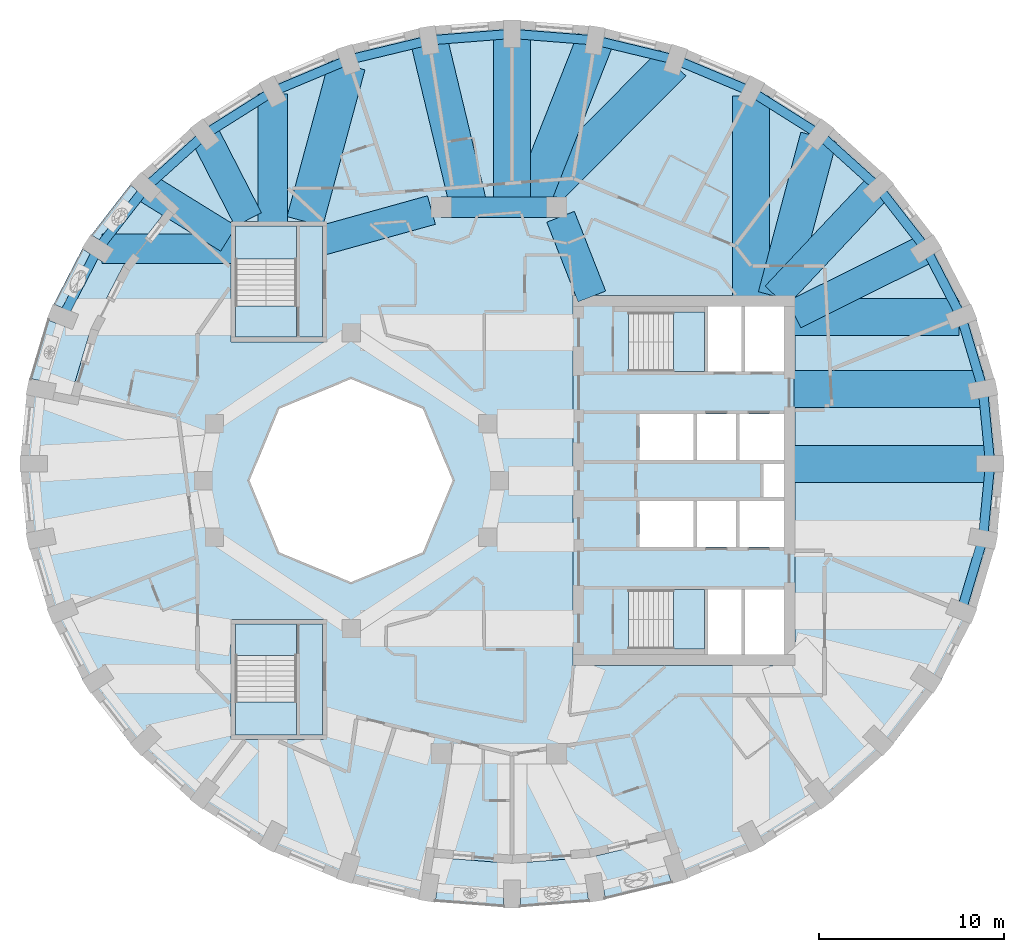
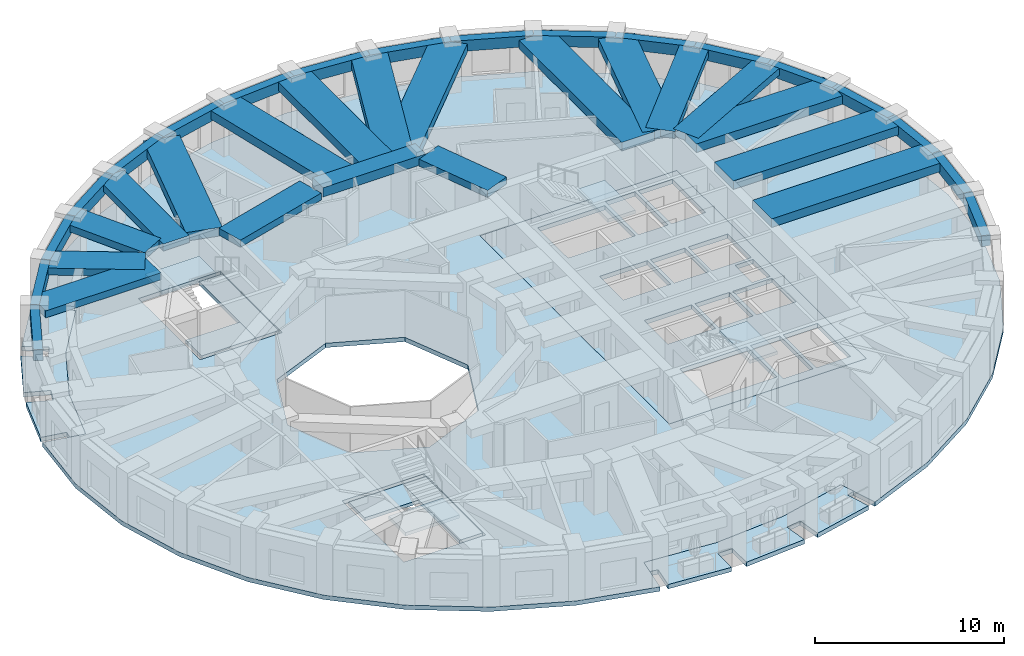
# One storey, part 2 of 12: 37 beams, 12 slabs, 4 elements without a shape of their own.
"""IFC4 building model written with IfcOpenShell, lengths in metres."""

from ifc_helpers import new_model, si_unit, direction, frame, origin, origin_2d, place, context, subcontext, project, spatial, polyline, rectangle, outline, extrude, material, layer, layer_set, material_profile, profile_set, type_object, element, aggregate, save


model = new_model("IFC4")

# Units and contexts
model_context = context("Model", 3, precision=1e-05, world=origin(), true_north=direction((0.0, 1.0)))
body_context = subcontext(model_context, "Body", "Model", "MODEL_VIEW")
ifc_project = project(units=[si_unit("LENGTHUNIT", "METRE"), si_unit("AREAUNIT", "SQUARE_METRE"), si_unit("VOLUMEUNIT", "CUBIC_METRE"), si_unit("PLANEANGLEUNIT", "RADIAN"), si_unit("MASSUNIT", "GRAM", prefix="KILO")], contexts=[model_context])

# Site, building, storey
site_placement = place(None, origin())
site = spatial("IfcSite", under=ifc_project, at=site_placement, CompositionType="ELEMENT")
building_placement = place(site_placement, origin())
building = spatial("IfcBuilding", under=site, at=building_placement, Name="Taillehof Tower", CompositionType="ELEMENT")
storey_placement = place(building_placement, frame((0.0, 0.0, 199.10009765625)))
storey = spatial("IfcBuildingStorey", under=building, at=storey_placement, Name="L56", CompositionType="ELEMENT", Elevation=199.10009765625)

# Beams
ifc_material_1 = material(Name="Concrete C50/60", Category="concrete")
ifc_material_profile_1 = material_profile(ifc_material_1, rectangle(XDim=1.10009765625, YDim=0.60009765625, at=origin_2d()), Name="RC 1100x600")
ifc_profile_set_1 = profile_set([ifc_material_profile_1], Name="Concrete C50/60")
beam_type_1 = type_object("IfcBeamType", Name="Mid-ring beam C50/60 1100x600", PredefinedType="BEAM", material=ifc_profile_set_1)
beam_1_placement = place(storey_placement, frame((3.125732421875, 14.772216796875, 2.719970703125), z_axis=(-1.0, 0.0, 0.0), x_axis=(0.0, -1.0, 0.0)))
element("IfcBeam", 1, at=beam_1_placement, inside=storey, type_object=beam_type_1, Name="Mid-ring beam MB01", PredefinedType="BEAM", context=body_context, shape_type="SweptSolid", body=[
    extrude(rectangle(XDim=1.10009765625, YDim=0.60009765625, at=origin_2d()), origin(), (0.0, 0.0, 1.0), 6.25146484375),
])
ifc_material_2 = material(Name="Concrete C50/60", Category="concrete")
ifc_material_profile_2 = material_profile(ifc_material_2, rectangle(XDim=1.60009765625, YDim=0.449951171875, at=origin_2d()), Name="RC 1600x450")
ifc_profile_set_2 = profile_set([ifc_material_profile_2], Name="Concrete C50/60")
beam_type_2 = type_object("IfcBeamType", Name="Radial band beam C50/60 1600x450", PredefinedType="BEAM", material=ifc_profile_set_2)
beam_2_placement = place(storey_placement, frame((23.086669921875, 12.52490234375, 2.794921875), z_axis=(-0.895357082848, -0.445348957778, 0.0), x_axis=(0.445348957778, -0.895357082848, 0.0)))
element("IfcBeam", 2, at=beam_2_placement, inside=storey, type_object=beam_type_2, Name="Radial band beam RB04", PredefinedType="BEAM", context=body_context, shape_type="SweptSolid", body=[
    extrude(rectangle(XDim=1.60009765625, YDim=0.449951171875, at=origin_2d()), origin(), (0.0, 0.0, 1.0), 7.96484375),
])
beam_3_placement = place(storey_placement, frame((20.502197265625, 15.8447265625, 2.794921875), z_axis=(-0.685451470964, -0.728118315217, 0.0), x_axis=(0.728118315217, -0.685451470964, 0.0)))
element("IfcBeam", 3, at=beam_3_placement, inside=storey, type_object=beam_type_2, Name="Radial band beam RB05", PredefinedType="BEAM", context=body_context, shape_type="SweptSolid", body=[
    extrude(rectangle(XDim=1.60009765625, YDim=0.449951171875, at=origin_2d()), origin(), (0.0, 0.0, 1.0), 8.07373046875),
])
beam_4_placement = place(storey_placement, frame((-12.22509765625, 20.9013671875, 2.794921875), z_axis=(0.0, -1.0, 0.0), x_axis=(1.0, 0.0, 0.0)))
element("IfcBeam", 4, at=beam_4_placement, inside=storey, type_object=beam_type_2, Name="Radial band beam RB13", PredefinedType="BEAM", context=body_context, shape_type="SweptSolid", body=[
    extrude(rectangle(XDim=1.60009765625, YDim=0.449951171875, at=origin_2d()), origin(), (0.0, 0.0, 1.0), 6.951416015625),
])
beam_5_placement = place(storey_placement, frame((-15.916015625, 18.71044921875, 2.794921875), z_axis=(0.456360793517, -0.889794822496, 0.0), x_axis=(0.889794822496, 0.456360793517, 0.0)))
element("IfcBeam", 5, at=beam_5_placement, inside=storey, type_object=beam_type_2, Name="Radial band beam RB14", PredefinedType="BEAM", context=body_context, shape_type="SweptSolid", body=[
    extrude(rectangle(XDim=1.60009765625, YDim=0.449951171875, at=origin_2d()), origin(), (0.0, 0.0, 1.0), 5.16455078125),
])
beam_6_placement = place(storey_placement, frame((-19.102294921875, 15.8447265625, 2.794921875), z_axis=(0.850616081395, -0.525787297366, 0.0), x_axis=(0.525787297366, 0.850616081395, 0.0)))
element("IfcBeam", 6, at=beam_6_placement, inside=storey, type_object=beam_type_2, Name="Radial band beam RB15", PredefinedType="BEAM", context=body_context, shape_type="SweptSolid", body=[
    extrude(rectangle(XDim=1.60009765625, YDim=0.449951171875, at=origin_2d()), origin(), (0.0, 0.0, 1.0), 5.260498046875),
])
beam_7_placement = place(storey_placement, frame((-21.47021484375, 12.52490234375, 2.794921875), z_axis=(1.0, 0.0, 0.0), x_axis=(0.0, 1.0, 0.0)))
element("IfcBeam", 7, at=beam_7_placement, inside=storey, type_object=beam_type_2, Name="Radial band beam RB16", PredefinedType="BEAM", context=body_context, shape_type="SweptSolid", body=[
    extrude(rectangle(XDim=1.60009765625, YDim=0.449951171875, at=origin_2d()), origin(), (0.0, 0.0, 1.0), 7.020263671875),
])
beam_8_placement = place(storey_placement, frame((3.32666015625, 14.26025390625, 2.794921875), z_axis=(0.365588707223, -0.930776502255, 0.0), x_axis=(0.930776502255, 0.365588707223, 0.0)))
element("IfcBeam", 8, at=beam_8_placement, inside=storey, type_object=beam_type_2, Name="Inner band beam IB205", PredefinedType="BEAM", context=body_context, shape_type="SweptSolid", body=[
    extrude(rectangle(XDim=1.60009765625, YDim=0.449951171875, at=origin_2d()), origin(), (0.0, 0.0, 1.0), 4.627197265625),
])
beam_9_placement = place(storey_placement, frame((-3.655517578125, 14.624755859375, 2.794921875), z_axis=(-0.963459369536, -0.267854518821, 0.0), x_axis=(0.267854518821, -0.963459369536, 0.0)))
element("IfcBeam", 9, at=beam_9_placement, inside=storey, type_object=beam_type_2, Name="Inner band beam IB206", PredefinedType="BEAM", context=body_context, shape_type="SweptSolid", body=[
    extrude(rectangle(XDim=1.60009765625, YDim=0.449951171875, at=origin_2d()), origin(), (0.0, 0.0, 1.0), 6.096923828125),
])
ifc_material_3 = material(Name="Concrete C50/60", Category="concrete")
ifc_material_profile_3 = material_profile(ifc_material_3, rectangle(XDim=2.0, YDim=0.550048828125, at=origin_2d()), Name="RC 2000x550")
ifc_profile_set_3 = profile_set([ifc_material_profile_3], Name="Concrete C50/60")
beam_type_3 = type_object("IfcBeamType", Name="Radial band beam C50/60 2000x550", PredefinedType="BEAM", material=ifc_profile_set_3)
beam_10_placement = place(storey_placement, frame((26.550048828125, 0.89990234375, 2.744873046875), z_axis=(-1.0, 0.0, 0.0), x_axis=(0.0, -1.0, 0.0)))
element("IfcBeam", 10, at=beam_10_placement, inside=storey, type_object=beam_type_3, Name="Radial band beam RB01", PredefinedType="BEAM", context=body_context, shape_type="SweptSolid", body=[
    extrude(rectangle(XDim=2.0, YDim=0.550048828125, at=origin_2d()), origin(), (0.0, 0.0, 1.0), 10.60009765625),
])
beam_11_placement = place(storey_placement, frame((26.1572265625, 4.937255859375, 2.744873046875), z_axis=(-1.0, 0.0, 0.0), x_axis=(0.0, -1.0, 0.0)))
element("IfcBeam", 11, at=beam_11_placement, inside=storey, type_object=beam_type_3, Name="Radial band beam RB02", PredefinedType="BEAM", context=body_context, shape_type="SweptSolid", body=[
    extrude(rectangle(XDim=2.0, YDim=0.550048828125, at=origin_2d()), origin(), (0.0, 0.0, 1.0), 10.207275390625),
])
beam_12_placement = place(storey_placement, frame((24.856201171875, 8.85205078125, 2.744873046875), z_axis=(-1.0, 0.0, 0.0), x_axis=(0.0, -1.0, 0.0)))
element("IfcBeam", 12, at=beam_12_placement, inside=storey, type_object=beam_type_3, Name="Radial band beam RB03", PredefinedType="BEAM", context=body_context, shape_type="SweptSolid", body=[
    extrude(rectangle(XDim=2.0, YDim=0.550048828125, at=origin_2d()), origin(), (0.0, 0.0, 1.0), 8.90625),
])
beam_13_placement = place(storey_placement, frame((17.28076171875, 18.577880859375, 2.744873046875), z_axis=(-0.256969711091, -0.966419457369, 0.0), x_axis=(0.966419457369, -0.256969711091, 0.0)))
element("IfcBeam", 13, at=beam_13_placement, inside=storey, type_object=beam_type_3, Name="Radial band beam RB06", PredefinedType="BEAM", context=body_context, shape_type="SweptSolid", body=[
    extrude(rectangle(XDim=2.0, YDim=0.550048828125, at=origin_2d()), origin(), (0.0, 0.0, 1.0), 8.926025390625),
])
beam_14_placement = place(storey_placement, frame((13.625, 20.797607421875, 2.744873046875), z_axis=(0.0, -1.0, 0.0), x_axis=(1.0, 0.0, 0.0)))
element("IfcBeam", 14, at=beam_14_placement, inside=storey, type_object=beam_type_3, Name="Radial band beam RB07", PredefinedType="BEAM", context=body_context, shape_type="SweptSolid", body=[
    extrude(rectangle(XDim=2.0, YDim=0.550048828125, at=origin_2d()), origin(), (0.0, 0.0, 1.0), 10.84765625),
])
beam_15_placement = place(storey_placement, frame((9.384765625, 22.590087890625, 2.744873046875), z_axis=(-0.704433609475, -0.709769885133, 0.0), x_axis=(0.709769885133, -0.704433609475, 0.0)))
element("IfcBeam", 15, at=beam_15_placement, inside=storey, type_object=beam_type_3, Name="Radial band beam RB08", PredefinedType="BEAM", context=body_context, shape_type="SweptSolid", body=[
    extrude(rectangle(XDim=2.0, YDim=0.550048828125, at=origin_2d()), origin(), (0.0, 0.0, 1.0), 10.79736328125),
])
beam_16_placement = place(storey_placement, frame((5.188720703125, 23.796875, 2.744873046875), z_axis=(-0.367222105753, -0.930133283485, 0.0), x_axis=(0.930133283485, -0.367222105753, 0.0)))
element("IfcBeam", 16, at=beam_16_placement, inside=storey, type_object=beam_type_3, Name="Radial band beam RB09", PredefinedType="BEAM", context=body_context, shape_type="SweptSolid", body=[
    extrude(rectangle(XDim=2.0, YDim=0.550048828125, at=origin_2d()), origin(), (0.0, 0.0, 1.0), 9.70263671875),
])
beam_17_placement = place(storey_placement, frame((0.699951171875, 24.14990234375, 2.744873046875), z_axis=(0.0, -1.0, 0.0), x_axis=(1.0, 0.0, 0.0)))
element("IfcBeam", 17, at=beam_17_placement, inside=storey, type_object=beam_type_3, Name="Radial band beam RB10", PredefinedType="BEAM", context=body_context, shape_type="SweptSolid", body=[
    extrude(rectangle(XDim=2.0, YDim=0.550048828125, at=origin_2d()), origin(), (0.0, 0.0, 1.0), 9.377685546875),
])
beam_18_placement = place(storey_placement, frame((-3.788818359375, 23.796875, 2.744873046875), z_axis=(0.233084395558, -0.972456510363, 0.0), x_axis=(0.972456510363, 0.233084395558, 0.0)))
element("IfcBeam", 18, at=beam_18_placement, inside=storey, type_object=beam_type_3, Name="Radial band beam RB11", PredefinedType="BEAM", context=body_context, shape_type="SweptSolid", body=[
    extrude(rectangle(XDim=2.0, YDim=0.550048828125, at=origin_2d()), origin(), (0.0, 0.0, 1.0), 9.2802734375),
])
beam_19_placement = place(storey_placement, frame((-8.2177734375, 22.464111328125, 2.744873046875), z_axis=(-0.260346436551, -0.965515268121, 0.0), x_axis=(0.965515268121, -0.260346436551, 0.0)))
element("IfcBeam", 19, at=beam_19_placement, inside=storey, type_object=beam_type_3, Name="Radial band beam RB12", PredefinedType="BEAM", context=body_context, shape_type="SweptSolid", body=[
    extrude(rectangle(XDim=2.0, YDim=0.550048828125, at=origin_2d()), origin(), (0.0, 0.0, 1.0), 8.755859375),
])
ifc_material_4 = material(Name="Concrete C50/60", Category="concrete")
ifc_material_profile_4 = material_profile(ifc_material_4, rectangle(XDim=0.5, YDim=0.699951171875, at=origin_2d()), Name="RC 500x700")
ifc_profile_set_4 = profile_set([ifc_material_profile_4], Name="Concrete C50/60")
beam_type_4 = type_object("IfcBeamType", Name="Spandrel beam C50/60 500x700", PredefinedType="SPANDREL", material=ifc_profile_set_4)
beam_20_placement = place(storey_placement, frame((26.550048828125, 0.89990234375, 2.669921875), z_axis=(-0.096839674059, 0.995299993735, 0.0), x_axis=(-0.995299993735, -0.096839674059, 0.0)))
element("IfcBeam", 20, at=beam_20_placement, inside=storey, type_object=beam_type_4, Name="Spandrel beam SB01", PredefinedType="SPANDREL", context=body_context, shape_type="SweptSolid", body=[
    extrude(rectangle(XDim=0.5, YDim=0.699951171875, at=origin_2d()), origin(), (0.0, 0.0, 1.0), 4.056396484375),
])
beam_21_placement = place(storey_placement, frame((26.1572265625, 4.937255859375, 2.669921875), z_axis=(-0.285510458946, 0.9583755933, 0.0), x_axis=(-0.9583755933, -0.285510458946, 0.0)))
element("IfcBeam", 21, at=beam_21_placement, inside=storey, type_object=beam_type_4, Name="Spandrel beam SB02", PredefinedType="SPANDREL", context=body_context, shape_type="SweptSolid", body=[
    extrude(rectangle(XDim=0.5, YDim=0.699951171875, at=origin_2d()), origin(), (0.0, 0.0, 1.0), 4.084716796875),
])
beam_22_placement = place(storey_placement, frame((24.990966796875, 8.85205078125, 2.669921875), z_axis=(-0.460289604274, 0.887768821371, 0.0), x_axis=(-0.887768821371, -0.460289604274, 0.0)))
element("IfcBeam", 22, at=beam_22_placement, inside=storey, type_object=beam_type_4, Name="Spandrel beam SB03", PredefinedType="SPANDREL", context=body_context, shape_type="SweptSolid", body=[
    extrude(rectangle(XDim=0.5, YDim=0.699951171875, at=origin_2d()), origin(), (0.0, 0.0, 1.0), 4.13720703125),
])
beam_23_placement = place(storey_placement, frame((23.086669921875, 12.52490234375, 2.669921875), z_axis=(-0.614294081938, 0.789077170432, 0.0), x_axis=(-0.789077170432, -0.614294081938, 0.0)))
element("IfcBeam", 23, at=beam_23_placement, inside=storey, type_object=beam_type_4, Name="Spandrel beam SB04", PredefinedType="SPANDREL", context=body_context, shape_type="SweptSolid", body=[
    extrude(rectangle(XDim=0.5, YDim=0.699951171875, at=origin_2d()), origin(), (0.0, 0.0, 1.0), 4.207275390625),
])
beam_24_placement = place(storey_placement, frame((20.502197265625, 15.8447265625, 2.669921875), z_axis=(-0.743492416006, 0.668744366213, 0.0), x_axis=(-0.668744366213, -0.743492416006, 0.0)))
element("IfcBeam", 24, at=beam_24_placement, inside=storey, type_object=beam_type_4, Name="Spandrel beam SB05", PredefinedType="SPANDREL", context=body_context, shape_type="SweptSolid", body=[
    extrude(rectangle(XDim=0.5, YDim=0.699951171875, at=origin_2d()), origin(), (0.0, 0.0, 1.0), 4.28515625),
])
beam_25_placement = place(storey_placement, frame((17.316162109375, 18.71044921875, 2.669921875), z_axis=(-0.846166475687, 0.532918657417, 0.0), x_axis=(-0.532918657417, -0.846166475687, 0.0)))
element("IfcBeam", 25, at=beam_25_placement, inside=storey, type_object=beam_type_4, Name="Spandrel beam SB06", PredefinedType="SPANDREL", context=body_context, shape_type="SweptSolid", body=[
    extrude(rectangle(XDim=0.5, YDim=0.699951171875, at=origin_2d()), origin(), (0.0, 0.0, 1.0), 4.3623046875),
])
beam_26_placement = place(storey_placement, frame((13.625, 21.03515625, 2.669921875), z_axis=(-0.92218550199, 0.386747850569, 0.0), x_axis=(-0.386747850569, -0.92218550199, 0.0)))
element("IfcBeam", 26, at=beam_26_placement, inside=storey, type_object=beam_type_4, Name="Spandrel beam SB07", PredefinedType="SPANDREL", context=body_context, shape_type="SweptSolid", body=[
    extrude(rectangle(XDim=0.5, YDim=0.699951171875, at=origin_2d()), origin(), (0.0, 0.0, 1.0), 4.42822265625),
])
beam_27_placement = place(storey_placement, frame((9.541259765625, 22.747802734375, 2.669921875), z_axis=(-0.972160640613, 0.234315361943, 0.0), x_axis=(-0.234315361943, -0.972160640613, 0.0)))
element("IfcBeam", 27, at=beam_27_placement, inside=storey, type_object=beam_type_4, Name="Spandrel beam SB08", PredefinedType="SPANDREL", context=body_context, shape_type="SweptSolid", body=[
    extrude(rectangle(XDim=0.5, YDim=0.699951171875, at=origin_2d()), origin(), (0.0, 0.0, 1.0), 4.477294921875),
])
for number, where, z_axis, x_axis, name in (
    (28, (5.188720703125, 23.796875, 2.669921875), (-0.996921613963, 0.078404691275, 0.0), (-0.078404691275, -0.996921613963, 0.0), "Spandrel beam SB09"),
    (29, (0.699951171875, 24.14990234375, 2.669921875), (-0.996921613963, -0.078404691275, 0.0), (0.078404691275, -0.996921613963, 0.0), "Spandrel beam SB10"),
):
    element("IfcBeam", number, at=place(storey_placement, frame(where, z_axis=z_axis, x_axis=x_axis)), inside=storey, type_object=beam_type_4, Name=name, PredefinedType="SPANDREL", context=body_context, shape_type="SweptSolid", body=[
        extrude(rectangle(XDim=0.5, YDim=0.699951171875, at=origin_2d()), origin(), (0.0, 0.0, 1.0), 4.502685546875),
    ])
beam_28_placement = place(storey_placement, frame((-3.788818359375, 23.796875, 2.669921875), z_axis=(-0.972157646478, -0.234327784087, 0.0), x_axis=(0.234327784087, -0.972157646478, 0.0)))
element("IfcBeam", 30, at=beam_28_placement, inside=storey, type_object=beam_type_4, Name="Spandrel beam SB11", PredefinedType="SPANDREL", context=body_context, shape_type="SweptSolid", body=[
    extrude(rectangle(XDim=0.5, YDim=0.699951171875, at=origin_2d()), origin(), (0.0, 0.0, 1.0), 4.47705078125),
])
beam_29_placement = place(storey_placement, frame((-8.14111328125, 22.747802734375, 2.669921875), z_axis=(-0.922193747603, -0.386728188632, 0.0), x_axis=(0.386728188632, -0.922193747603, 0.0)))
element("IfcBeam", 31, at=beam_29_placement, inside=storey, type_object=beam_type_4, Name="Spandrel beam SB12", PredefinedType="SPANDREL", context=body_context, shape_type="SweptSolid", body=[
    extrude(rectangle(XDim=0.5, YDim=0.699951171875, at=origin_2d()), origin(), (0.0, 0.0, 1.0), 4.428466796875),
])
beam_30_placement = place(storey_placement, frame((-12.22509765625, 21.03515625, 2.669921875), z_axis=(-0.846150579775, -0.532943896059, 0.0), x_axis=(0.532943896059, -0.846150579775, 0.0)))
element("IfcBeam", 32, at=beam_30_placement, inside=storey, type_object=beam_type_4, Name="Spandrel beam SB13", PredefinedType="SPANDREL", context=body_context, shape_type="SweptSolid", body=[
    extrude(rectangle(XDim=0.5, YDim=0.699951171875, at=origin_2d()), origin(), (0.0, 0.0, 1.0), 4.362060546875),
])
beam_31_placement = place(storey_placement, frame((-15.916015625, 18.71044921875, 2.669921875), z_axis=(-0.743517893617, -0.668716039789, 0.0), x_axis=(0.668716039789, -0.743517893617, 0.0)))
element("IfcBeam", 33, at=beam_31_placement, inside=storey, type_object=beam_type_4, Name="Spandrel beam SB14", PredefinedType="SPANDREL", context=body_context, shape_type="SweptSolid", body=[
    extrude(rectangle(XDim=0.5, YDim=0.699951171875, at=origin_2d()), origin(), (0.0, 0.0, 1.0), 4.285400390625),
])
beam_32_placement = place(storey_placement, frame((-19.102294921875, 15.8447265625, 2.669921875), z_axis=(-0.614294081938, -0.789077170432, 0.0), x_axis=(0.789077170432, -0.614294081938, 0.0)))
element("IfcBeam", 34, at=beam_32_placement, inside=storey, type_object=beam_type_4, Name="Spandrel beam SB15", PredefinedType="SPANDREL", context=body_context, shape_type="SweptSolid", body=[
    extrude(rectangle(XDim=0.5, YDim=0.699951171875, at=origin_2d()), origin(), (0.0, 0.0, 1.0), 4.207275390625),
])
beam_33_placement = place(storey_placement, frame((-21.686767578125, 12.52490234375, 2.669921875), z_axis=(-0.460289604274, -0.887768821371, 0.0), x_axis=(0.887768821371, -0.460289604274, 0.0)))
element("IfcBeam", 35, at=beam_33_placement, inside=storey, type_object=beam_type_4, Name="Spandrel beam SB16", PredefinedType="SPANDREL", context=body_context, shape_type="SweptSolid", body=[
    extrude(rectangle(XDim=0.5, YDim=0.699951171875, at=origin_2d()), origin(), (0.0, 0.0, 1.0), 4.13720703125),
])
beam_34_placement = place(storey_placement, frame((24.990966796875, -7.052001953125, 2.669921875), z_axis=(0.285510458946, 0.9583755933, 0.0), x_axis=(-0.9583755933, 0.285510458946, 0.0)))
element("IfcBeam", 36, at=beam_34_placement, inside=storey, type_object=beam_type_4, Name="Spandrel beam SB35", PredefinedType="SPANDREL", context=body_context, shape_type="SweptSolid", body=[
    extrude(rectangle(XDim=0.5, YDim=0.699951171875, at=origin_2d()), origin(), (0.0, 0.0, 1.0), 4.084716796875),
])
beam_35_placement = place(storey_placement, frame((26.1572265625, -3.13720703125, 2.669921875), z_axis=(0.096845475428, 0.995299429262, 0.0), x_axis=(-0.995299429262, 0.096845475428, 0.0)))
element("IfcBeam", 37, at=beam_35_placement, inside=storey, type_object=beam_type_4, Name="Spandrel beam SB36", PredefinedType="SPANDREL", context=body_context, shape_type="SweptSolid", body=[
    extrude(rectangle(XDim=0.5, YDim=0.699951171875, at=origin_2d()), origin(), (0.0, 0.0, 1.0), 4.05615234375),
])

# Slabs
ifc_material_5 = material(Name="Concrete C40/50", Category="concrete")
ifc_layer_1 = layer(ifc_material_5, 0.280029296875)
ifc_layer_set_1 = layer_set([ifc_layer_1], Name="Balcony slab 280")
slab_type_1 = type_object("IfcSlabType", Name="Balcony slab 280", PredefinedType="USERDEFINED", material=ifc_layer_set_1)
slab_1_placement = place(storey_placement, frame((0.0, 0.0, -0.280029296875)))
element("IfcSlab", 38, at=slab_1_placement, inside=storey, type_object=slab_type_1, Name="Balcony L56 pocket 4", ObjectType="BALCONY", PredefinedType="USERDEFINED", context=body_context, shape_type="SweptSolid", body=[
    extrude(outline(polyline([(-23.140380859375, 4.607177734375), (-24.02392578125, 4.77978515625), (-23.934814453125, 5.235107421875), (-25.36328125, 5.51416015625), (-24.417236328125, 8.699951171875), (-23.06396484375, 8.154052734375), (-22.72705078125, 8.98876953125), (-24.076416015625, 9.532958984375), (-22.528076171875, 12.529052734375), (-21.297607421875, 11.74169921875), (-20.8125, 12.499755859375), (-22.0380859375, 13.2841796875), (-19.93017578125, 16.000244140625), (-18.859619140625, 15.004638671875), (-18.5791015625, 15.30615234375), (-17.91943359375, 14.6923828125), (-20.314697265625, 11.6064453125), (-22.070068359375, 8.210693359375), (-23.140380859375, 4.607177734375)])), origin(), (0.0, 0.0, 1.0), 0.280029296875),
])
slab_2_placement = place(storey_placement, frame((0.0, 0.0, -0.280029296875)))
element("IfcSlab", 39, at=slab_2_placement, inside=storey, type_object=slab_type_1, Name="Balcony L56 pocket 8", ObjectType="BALCONY", PredefinedType="USERDEFINED", context=body_context, shape_type="SweptSolid", body=[
    extrude(outline(polyline([(9.048828125, -19.372314453125), (9.329833984375, -20.227783203125), (8.879638671875, -20.375732421875), (9.335693359375, -21.764404296875), (5.74560546875, -22.63232421875), (5.515380859375, -21.185302734375), (4.62646484375, -21.326904296875), (4.8564453125, -22.77197265625), (1.14990234375, -23.064453125), (1.14990234375, -21.60009765625), (0.25, -21.60009765625), (0.25, -23.064453125), (-3.45654296875, -22.77197265625), (-3.2265625, -21.326904296875), (-3.683349609375, -21.254150390625), (-3.5419921875, -20.365234375), (0.699951171875, -20.699951171875), (4.94189453125, -20.365234375), (9.048828125, -19.372314453125)])), origin(), (0.0, 0.0, 1.0), 0.280029296875),
])
ifc_material_6 = material(Name="Concrete C40/50", Category="concrete")
ifc_layer_2 = layer(ifc_material_6, 0.280029296875)
ifc_layer_set_2 = layer_set([ifc_layer_2], Name="Core floor slab C40/50 280")
slab_type_2 = type_object("IfcSlabType", Name="Core floor slab C40/50 280", PredefinedType="FLOOR", material=ifc_layer_set_2)
slab_3_placement = place(storey_placement, frame((0.0, 0.0, -0.280029296875)))
element("IfcSlab", 40, at=slab_3_placement, inside=storey, type_object=slab_type_2, Name="Core floor L56", PredefinedType="FLOOR", context=body_context, shape_type="SweptSolid", body=[
    extrude(outline(polyline([(4.0, -10.0), (4.0, 10.0), (16.0, 10.0), (16.0, -10.0), (4.0, -10.0)]), holes=[polyline([(11.10009765625, -9.10009765625), (11.10009765625, -5.89990234375), (7.00048828125, -5.89990234375), (7.00048828125, -9.10009765625), (11.10009765625, -9.10009765625)]), polyline([(10.5, -3.60009765625), (10.5, -1.10009765625), (7.60009765625, -1.10009765625), (7.60009765625, -3.60009765625), (10.5, -3.60009765625)]), polyline([(12.800048828125, -3.60009765625), (12.800048828125, -1.10009765625), (10.699951171875, -1.10009765625), (10.699951171875, -3.60009765625), (12.800048828125, -3.60009765625)]), polyline([(10.5, 3.60009765625), (7.60009765625, 3.60009765625), (7.60009765625, 1.10009765625), (10.5, 1.10009765625), (10.5, 3.60009765625)]), polyline([(12.800048828125, 1.10009765625), (12.800048828125, 3.60009765625), (10.699951171875, 3.60009765625), (10.699951171875, 1.10009765625), (12.800048828125, 1.10009765625)]), polyline([(11.10009765625, 5.89990234375), (11.10009765625, 9.10009765625), (7.00048828125, 9.10009765625), (7.00048828125, 5.89990234375), (11.10009765625, 5.89990234375)]), polyline([(13.10009765625, 9.39990234375), (11.300048828125, 9.39990234375), (11.300048828125, 5.89990234375), (13.10009765625, 5.89990234375), (13.10009765625, 9.39990234375)]), polyline([(13.10009765625, -9.39990234375), (13.10009765625, -5.89990234375), (11.300048828125, -5.89990234375), (11.300048828125, -9.39990234375), (13.10009765625, -9.39990234375)]), polyline([(15.39990234375, -9.39990234375), (15.39990234375, -5.89990234375), (13.300048828125, -5.89990234375), (13.300048828125, -9.39990234375), (15.39990234375, -9.39990234375)]), polyline([(15.39990234375, -3.60009765625), (15.39990234375, -1.10009765625), (13.0, -1.10009765625), (13.0, -3.60009765625), (15.39990234375, -3.60009765625)]), polyline([(15.39990234375, -0.89990234375), (15.39990234375, 0.89990234375), (14.300048828125, 0.89990234375), (14.300048828125, -0.89990234375), (15.39990234375, -0.89990234375)]), polyline([(15.39990234375, 1.10009765625), (15.39990234375, 3.60009765625), (13.0, 3.60009765625), (13.0, 1.10009765625), (15.39990234375, 1.10009765625)]), polyline([(15.39990234375, 5.89990234375), (15.39990234375, 9.39990234375), (13.300048828125, 9.39990234375), (13.300048828125, 5.89990234375), (15.39990234375, 5.89990234375)])]), origin(), (0.0, 0.0, 1.0), 0.280029296875),
])
ifc_material_7 = material(Name="Concrete C40/50", Category="concrete")
ifc_layer_3 = layer(ifc_material_7, 0.280029296875)
ifc_layer_set_3 = layer_set([ifc_layer_3], Name="Floor slab 280")
slab_type_3 = type_object("IfcSlabType", Name="Floor slab 280", PredefinedType="FLOOR", material=ifc_layer_set_3)
slab_4_placement = place(storey_placement, frame((0.0, 0.0, -0.280029296875)))
element("IfcSlab", 41, at=slab_4_placement, inside=storey, type_object=slab_type_3, Name="Floor slab L56", PredefinedType="FLOOR", context=body_context, shape_type="SweptSolid", body=[
    extrude(outline(polyline([(27.300048828125, 0.89990234375), (26.89599609375, 5.067626953125), (25.69580078125, 9.1083984375), (23.736328125, 12.89990234375), (21.076904296875, 16.326904296875), (17.798095703125, 19.28515625), (14.0, 21.6845703125), (9.797607421875, 23.45263671875), (5.319091796875, 24.535400390625), (0.699951171875, 24.89990234375), (-3.9189453125, 24.535400390625), (-8.397705078125, 23.45263671875), (-12.60009765625, 21.6845703125), (-16.398193359375, 19.28515625), (-19.6767578125, 16.326904296875), (-17.919189453125, 14.6923828125), (-20.314697265625, 11.6064453125), (-22.070068359375, 8.210693359375), (-23.140380859375, 4.607177734375), (-25.495849609375, 5.067626953125), (-25.89990234375, 0.89990234375), (-25.495849609375, -3.267578125), (-24.2958984375, -7.30859375), (-22.336181640625, -11.10009765625), (-19.6767578125, -14.52685546875), (-16.398193359375, -17.485107421875), (-12.60009765625, -19.884521484375), (-8.397705078125, -21.652587890625), (-3.9189453125, -22.7353515625), (-3.5419921875, -20.365234375), (0.699951171875, -20.699951171875), (4.94189453125, -20.365234375), (9.048828125, -19.372314453125), (9.797607421875, -21.652587890625), (14.0, -19.884521484375), (17.798095703125, -17.485107421875), (21.076904296875, -14.52685546875), (23.736328125, -11.10009765625), (25.69580078125, -7.30859375), (26.89599609375, -3.267578125), (27.300048828125, 0.89990234375)]), holes=[polyline([(-14.5, -7.5), (-9.5, -7.5), (-9.5, -14.0), (-14.5, -14.0), (-14.5, -7.5)]), polyline([(-8.0, -5.5), (-11.88916015625, -3.88916015625), (-13.5, 0.0), (-11.88916015625, 3.88916015625), (-8.0, 5.5), (-4.11083984375, 3.88916015625), (-2.5, 0.0), (-4.11083984375, -3.88916015625), (-8.0, -5.5)]), polyline([(16.0, 10.0), (16.0, -10.0), (4.0, -10.0), (4.0, 10.0), (16.0, 10.0)]), polyline([(-14.5, 14.0), (-9.5, 14.0), (-9.5, 7.5), (-14.5, 7.5), (-14.5, 14.0)])]), origin(), (0.0, 0.0, 1.0), 0.280029296875),
])

# Stair, slab
ifc_material_8 = material(Name="Concrete C40/50", Category="concrete")
stair_type = type_object("IfcStairType", Name="Exit stair half-turn", PredefinedType="HALF_TURN_STAIR", material=ifc_material_8)
stair_1_placement = place(storey_placement, origin())
stair_1 = element("IfcStair", 42, at=stair_1_placement, inside=storey, type_object=stair_type, Name="Exit stair S1", PredefinedType="HALF_TURN_STAIR")
ifc_material_9 = material(Name="Concrete C40/50", Category="concrete")
ifc_layer_4 = layer(ifc_material_9, 0.2099609375)
ifc_layer_set_4 = layer_set([ifc_layer_4], Name="Stair landing C40/50 210")
slab_type_4 = type_object("IfcSlabType", Name="Stair landing C40/50 210", PredefinedType="LANDING", material=ifc_layer_set_4)
slab_5_placement = place(storey_placement, frame((0.0, 0.0, 1.43994140625)))
slab_5 = element("IfcSlab", 43, at=slab_5_placement, type_object=slab_type_4, Name="S1 landing 1", PredefinedType="LANDING", context=body_context, shape_type="SweptSolid", body=[
    extrude(outline(polyline([(9.429931640625, 5.89990234375), (11.10009765625, 5.89990234375), (11.10009765625, 9.10009765625), (9.429931640625, 9.10009765625), (9.429931640625, 5.89990234375)])), origin(), (0.0, 0.0, 1.0), 0.2099609375),
])
aggregate(stair_1, [slab_5])

stair_2_placement = place(storey_placement, origin())
stair_2 = element("IfcStair", 44, at=stair_2_placement, inside=storey, type_object=stair_type, Name="Exit stair S2", PredefinedType="HALF_TURN_STAIR")
slab_6_placement = place(storey_placement, frame((0.0, 0.0, 1.43994140625)))
slab_6 = element("IfcSlab", 45, at=slab_6_placement, type_object=slab_type_4, Name="S2 landing 1", PredefinedType="LANDING", context=body_context, shape_type="SweptSolid", body=[
    extrude(outline(polyline([(9.429931640625, -5.89990234375), (11.10009765625, -5.89990234375), (11.10009765625, -9.10009765625), (9.429931640625, -9.10009765625), (9.429931640625, -5.89990234375)])), origin(), (0.0, 0.0, 1.0), 0.2099609375),
])
aggregate(stair_2, [slab_6])

stair_3_placement = place(storey_placement, origin())
stair_3 = element("IfcStair", 46, at=stair_3_placement, inside=storey, type_object=stair_type, Name="Exit stair S3", PredefinedType="HALF_TURN_STAIR")
slab_7_placement = place(storey_placement, frame((0.0, 0.0, 1.43994140625)))
slab_7 = element("IfcSlab", 47, at=slab_7_placement, type_object=slab_type_4, Name="S3 landing 1", PredefinedType="LANDING", context=body_context, shape_type="SweptSolid", body=[
    extrude(outline(polyline([(-14.25, 11.969970703125), (-14.25, 13.75), (-10.949951171875, 13.75), (-10.949951171875, 11.969970703125), (-14.25, 11.969970703125)])), origin(), (0.0, 0.0, 1.0), 0.2099609375),
])
aggregate(stair_3, [slab_7])

stair_4_placement = place(storey_placement, origin())
stair_4 = element("IfcStair", 48, at=stair_4_placement, inside=storey, type_object=stair_type, Name="Exit stair S4", PredefinedType="HALF_TURN_STAIR")
slab_8_placement = place(storey_placement, frame((0.0, 0.0, 1.43994140625)))
slab_8 = element("IfcSlab", 49, at=slab_8_placement, type_object=slab_type_4, Name="S4 landing 1", PredefinedType="LANDING", context=body_context, shape_type="SweptSolid", body=[
    extrude(outline(polyline([(-14.25, -11.969970703125), (-14.25, -13.75), (-10.949951171875, -13.75), (-10.949951171875, -11.969970703125), (-14.25, -11.969970703125)])), origin(), (0.0, 0.0, 1.0), 0.2099609375),
])
aggregate(stair_4, [slab_8])

# Slabs
slab_9_placement = place(storey_placement, frame((0.0, 0.0, -0.210205078125)))
element("IfcSlab", 50, at=slab_9_placement, inside=storey, type_object=slab_type_4, Name="Stair S3 floor landing", PredefinedType="LANDING", context=body_context, shape_type="SweptSolid", body=[
    extrude(outline(polyline([(-14.25, 7.75), (-14.25, 9.449951171875), (-10.949951171875, 9.449951171875), (-10.949951171875, 7.75), (-14.25, 7.75)])), origin(), (0.0, 0.0, 1.0), 0.210205078125),
])
slab_10_placement = place(storey_placement, frame((0.0, 0.0, -0.210205078125)))
element("IfcSlab", 51, at=slab_10_placement, inside=storey, type_object=slab_type_4, Name="Stair lobby S3 floor", PredefinedType="LANDING", context=body_context, shape_type="SweptSolid", body=[
    extrude(outline(polyline([(-10.949951171875, 7.75), (-9.550048828125, 7.75), (-9.550048828125, 13.75), (-10.949951171875, 13.75), (-10.949951171875, 7.75)])), origin(), (0.0, 0.0, 1.0), 0.210205078125),
])
slab_11_placement = place(storey_placement, frame((0.0, 0.0, -0.210205078125)))
element("IfcSlab", 52, at=slab_11_placement, inside=storey, type_object=slab_type_4, Name="Stair S4 floor landing", PredefinedType="LANDING", context=body_context, shape_type="SweptSolid", body=[
    extrude(outline(polyline([(-14.25, -7.75), (-14.25, -9.449951171875), (-10.949951171875, -9.449951171875), (-10.949951171875, -7.75), (-14.25, -7.75)])), origin(), (0.0, 0.0, 1.0), 0.210205078125),
])
slab_12_placement = place(storey_placement, frame((0.0, 0.0, -0.210205078125)))
element("IfcSlab", 53, at=slab_12_placement, inside=storey, type_object=slab_type_4, Name="Stair lobby S4 floor", PredefinedType="LANDING", context=body_context, shape_type="SweptSolid", body=[
    extrude(outline(polyline([(-10.949951171875, -13.75), (-9.550048828125, -13.75), (-9.550048828125, -7.75), (-10.949951171875, -7.75), (-10.949951171875, -13.75)])), origin(), (0.0, 0.0, 1.0), 0.210205078125),
])

save(model, "model.ifc")
